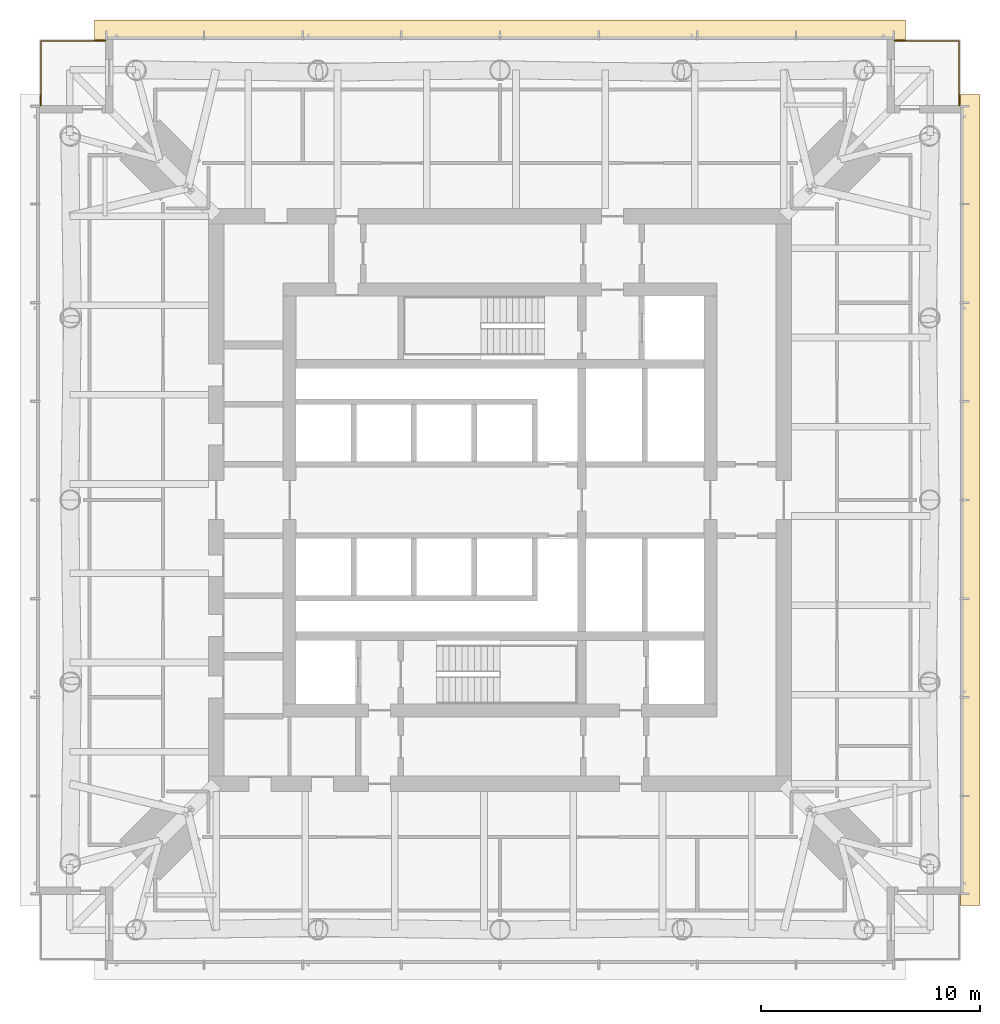
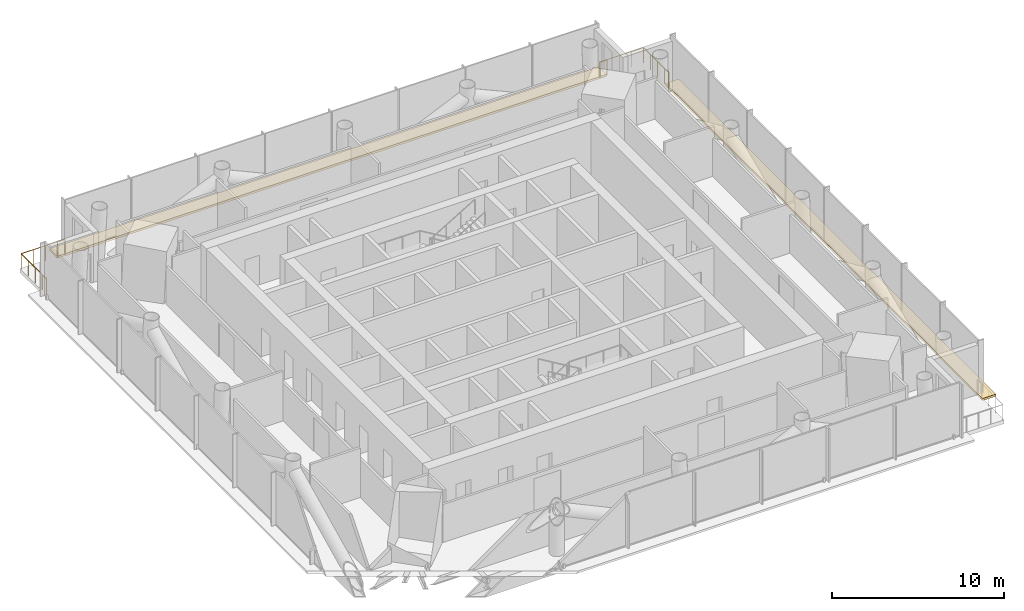
# One storey, part 13 of 13: 6 railings, 2 coverings.
"""IFC4 building model written with IfcOpenShell, lengths in metres."""

from ifc_helpers import new_model, si_unit, direction, frame, origin, origin_2d, place, context, subcontext, project, spatial, polyline, circle, outline, extrude, material, layer, layer_set, type_object, element, save


model = new_model("IFC4")

# Units and contexts
model_context = context("Model", 3, precision=1e-05, world=origin(), true_north=direction((0.0, 1.0)))
body_context = subcontext(model_context, "Body", "Model", "MODEL_VIEW")
ifc_project = project(units=[si_unit("LENGTHUNIT", "METRE"), si_unit("AREAUNIT", "SQUARE_METRE"), si_unit("VOLUMEUNIT", "CUBIC_METRE"), si_unit("PLANEANGLEUNIT", "RADIAN"), si_unit("MASSUNIT", "GRAM", prefix="KILO")], contexts=[model_context])

# Site, building, storey
site_placement = place(None, origin())
site = spatial("IfcSite", under=ifc_project, at=site_placement, CompositionType="ELEMENT")
building_placement = place(site_placement, origin())
building = spatial("IfcBuilding", under=site, at=building_placement, Name="Ostroluk Exchange", CompositionType="ELEMENT")
storey_placement = place(building_placement, frame((0.0, 0.0, 157.800048828125)))
storey = spatial("IfcBuildingStorey", under=building, at=storey_placement, Name="L40", CompositionType="ELEMENT", Elevation=157.800048828125)

# Railings
ifc_material_1 = material(Name="Stainless steel", Category="steel")
railing_type_1 = type_object("IfcRailingType", Name="Guard 1100 stainless steel", PredefinedType="GUARDRAIL", material=ifc_material_1)
railing_1_placement = place(storey_placement, frame((63.5, 66.949951171875, 0.0)))
element("IfcRailing", 1, at=railing_1_placement, inside=storey, type_object=railing_type_1, Name="Office tower NE balcony guard L40", PredefinedType="GUARDRAIL", context=body_context, shape_type="SweptSolid", body=[
    extrude(circle(Radius=0.02392578125, at=origin_2d()), frame((0.0, 0.0, 1.076171875), z_axis=(1.0, 0.0, 0.0), x_axis=(0.0, 1.0, 0.0)), (0.0, 0.0, 1.0), 2.449951171875),
    extrude(circle(Radius=0.02392578125, at=origin_2d()), frame((2.449951171875, 0.0, 1.076171875), z_axis=(0.0, -1.0, 0.0), x_axis=(1.0, 0.0, 0.0)), (0.0, 0.0, 1.0), 2.449951171875),
    extrude(circle(Radius=0.02099609375, at=origin_2d()), origin(), (0.0, 0.0, 1.0), 1.052001953125),
    extrude(circle(Radius=0.02099609375, at=origin_2d()), frame((0.816650390625, 0.0, 0.0)), (0.0, 0.0, 1.0), 1.052001953125),
    extrude(circle(Radius=0.02099609375, at=origin_2d()), frame((1.63330078125, 0.0, 0.0)), (0.0, 0.0, 1.0), 1.052001953125),
    extrude(circle(Radius=0.02099609375, at=origin_2d()), frame((2.449951171875, 0.0, 0.0)), (0.0, 0.0, 1.0), 1.052001953125),
    extrude(circle(Radius=0.02099609375, at=origin_2d()), frame((2.449951171875, -0.816650390625, 0.0)), (0.0, 0.0, 1.0), 1.052001953125),
    extrude(circle(Radius=0.02099609375, at=origin_2d()), frame((2.449951171875, -1.63330078125, 0.0)), (0.0, 0.0, 1.0), 1.052001953125),
    extrude(circle(Radius=0.02099609375, at=origin_2d()), frame((2.449951171875, -2.449951171875, 0.0)), (0.0, 0.0, 1.0), 1.052001953125),
])
railing_2_placement = place(storey_placement, frame((26.5, 66.949951171875, 0.0)))
element("IfcRailing", 2, at=railing_2_placement, inside=storey, type_object=railing_type_1, Name="Office tower NW balcony guard L40", PredefinedType="GUARDRAIL", context=body_context, shape_type="SweptSolid", body=[
    extrude(circle(Radius=0.02392578125, at=origin_2d()), frame((0.0, 0.0, 1.076171875), z_axis=(-1.0, 0.0, 0.0), x_axis=(0.0, -1.0, 0.0)), (0.0, 0.0, 1.0), 2.449951171875),
    extrude(circle(Radius=0.02392578125, at=origin_2d()), frame((-2.449951171875, 0.0, 1.076171875), z_axis=(0.0, -1.0, 0.0), x_axis=(1.0, 0.0, 0.0)), (0.0, 0.0, 1.0), 2.449951171875),
    extrude(circle(Radius=0.02099609375, at=origin_2d()), origin(), (0.0, 0.0, 1.0), 1.052001953125),
    extrude(circle(Radius=0.02099609375, at=origin_2d()), frame((-0.816650390625, 0.0, 0.0)), (0.0, 0.0, 1.0), 1.052001953125),
    extrude(circle(Radius=0.02099609375, at=origin_2d()), frame((-1.63330078125, 0.0, 0.0)), (0.0, 0.0, 1.0), 1.052001953125),
    extrude(circle(Radius=0.02099609375, at=origin_2d()), frame((-2.449951171875, 0.0, 0.0)), (0.0, 0.0, 1.0), 1.052001953125),
    extrude(circle(Radius=0.02099609375, at=origin_2d()), frame((-2.449951171875, -0.816650390625, 0.0)), (0.0, 0.0, 1.0), 1.052001953125),
    extrude(circle(Radius=0.02099609375, at=origin_2d()), frame((-2.449951171875, -1.63330078125, 0.0)), (0.0, 0.0, 1.0), 1.052001953125),
    extrude(circle(Radius=0.02099609375, at=origin_2d()), frame((-2.449951171875, -2.449951171875, 0.0)), (0.0, 0.0, 1.0), 1.052001953125),
])
ifc_material_2 = material(Name="Stainless steel", Category="steel")
railing_type_2 = type_object("IfcRailingType", Name="Lockable maintenance gate 1100", PredefinedType="GUARDRAIL", material=ifc_material_2)
railing_3_placement = place(storey_placement, frame((63.0, 66.949951171875, 0.0)))
element("IfcRailing", 3, at=railing_3_placement, inside=storey, type_object=railing_type_2, Name="Lockable maintenance gate T1 L40 NE", PredefinedType="GUARDRAIL", context=body_context, shape_type="SweptSolid", body=[
    extrude(circle(Radius=0.02392578125, at=origin_2d()), frame((0.0, 0.0, 1.076171875), z_axis=(1.0, 0.0, 0.0), x_axis=(0.0, 1.0, 0.0)), (0.0, 0.0, 1.0), 0.5),
    extrude(circle(Radius=0.02099609375, at=origin_2d()), origin(), (0.0, 0.0, 1.0), 1.052001953125),
    extrude(circle(Radius=0.02099609375, at=origin_2d()), frame((0.5, 0.0, 0.0)), (0.0, 0.0, 1.0), 1.052001953125),
])
railing_4_placement = place(storey_placement, frame((65.949951171875, 64.5, 0.0)))
element("IfcRailing", 4, at=railing_4_placement, inside=storey, type_object=railing_type_2, Name="Lockable maintenance gate T1 L40 NE", PredefinedType="GUARDRAIL", context=body_context, shape_type="SweptSolid", body=[
    extrude(circle(Radius=0.02392578125, at=origin_2d()), frame((0.0, 0.0, 1.076171875), z_axis=(0.0, -1.0, 0.0), x_axis=(1.0, 0.0, 0.0)), (0.0, 0.0, 1.0), 0.5),
    extrude(circle(Radius=0.02099609375, at=origin_2d()), origin(), (0.0, 0.0, 1.0), 1.052001953125),
    extrude(circle(Radius=0.02099609375, at=origin_2d()), frame((0.0, -0.5, 0.0)), (0.0, 0.0, 1.0), 1.052001953125),
])
railing_5_placement = place(storey_placement, frame((27.0, 66.949951171875, 0.0)))
element("IfcRailing", 5, at=railing_5_placement, inside=storey, type_object=railing_type_2, Name="Lockable maintenance gate T1 L40 NW", PredefinedType="GUARDRAIL", context=body_context, shape_type="SweptSolid", body=[
    extrude(circle(Radius=0.02392578125, at=origin_2d()), frame((0.0, 0.0, 1.076171875), z_axis=(-1.0, 0.0, 0.0), x_axis=(0.0, -1.0, 0.0)), (0.0, 0.0, 1.0), 0.5),
    extrude(circle(Radius=0.02099609375, at=origin_2d()), origin(), (0.0, 0.0, 1.0), 1.052001953125),
    extrude(circle(Radius=0.02099609375, at=origin_2d()), frame((-0.5, 0.0, 0.0)), (0.0, 0.0, 1.0), 1.052001953125),
])
railing_6_placement = place(storey_placement, frame((24.050048828125, 64.5, 0.0)))
element("IfcRailing", 6, at=railing_6_placement, inside=storey, type_object=railing_type_2, Name="Lockable maintenance gate T1 L40 NW", PredefinedType="GUARDRAIL", context=body_context, shape_type="SweptSolid", body=[
    extrude(circle(Radius=0.02392578125, at=origin_2d()), frame((0.0, 0.0, 1.076171875), z_axis=(0.0, -1.0, 0.0), x_axis=(1.0, 0.0, 0.0)), (0.0, 0.0, 1.0), 0.5),
    extrude(circle(Radius=0.02099609375, at=origin_2d()), origin(), (0.0, 0.0, 1.0), 1.052001953125),
    extrude(circle(Radius=0.02099609375, at=origin_2d()), frame((0.0, -0.5, 0.0)), (0.0, 0.0, 1.0), 1.052001953125),
])

# Coverings
ifc_material_3 = material(Name="Insulated steel roof deck with membrane, laid to falls, aluminium coping", Category="steel")
ifc_layer = layer(ifc_material_3, 0.14990234375)
ifc_layer_set = layer_set([ifc_layer], Name="Setback maintenance roof")
covering_type = type_object("IfcCoveringType", Name="Setback maintenance roof", PredefinedType="ROOFING", material=ifc_layer_set)
covering_1_placement = place(storey_placement, frame((0.0, 0.0, -0.150146484375)))
element("IfcCovering", 7, at=covering_1_placement, inside=storey, type_object=covering_type, Name="Maintenance roof, setback L40 east", PredefinedType="ROOFING", context=body_context, shape_type="SweptSolid", body=[
    extrude(outline(polyline([(66.0, 64.5), (66.89990234375, 64.5), (66.89990234375, 27.5), (66.0, 27.5), (66.0, 64.5)])), origin(), (0.0, 0.0, 1.0), 0.150146484375),
])
covering_2_placement = place(storey_placement, frame((0.0, 0.0, -0.150146484375)))
element("IfcCovering", 8, at=covering_2_placement, inside=storey, type_object=covering_type, Name="Maintenance roof, setback L40 north", PredefinedType="ROOFING", context=body_context, shape_type="SweptSolid", body=[
    extrude(outline(polyline([(26.5, 67.89990234375), (63.5, 67.89990234375), (63.5, 67.0), (26.5, 67.0), (26.5, 67.89990234375)])), origin(), (0.0, 0.0, 1.0), 0.150146484375),
])

save(model, "model.ifc")
